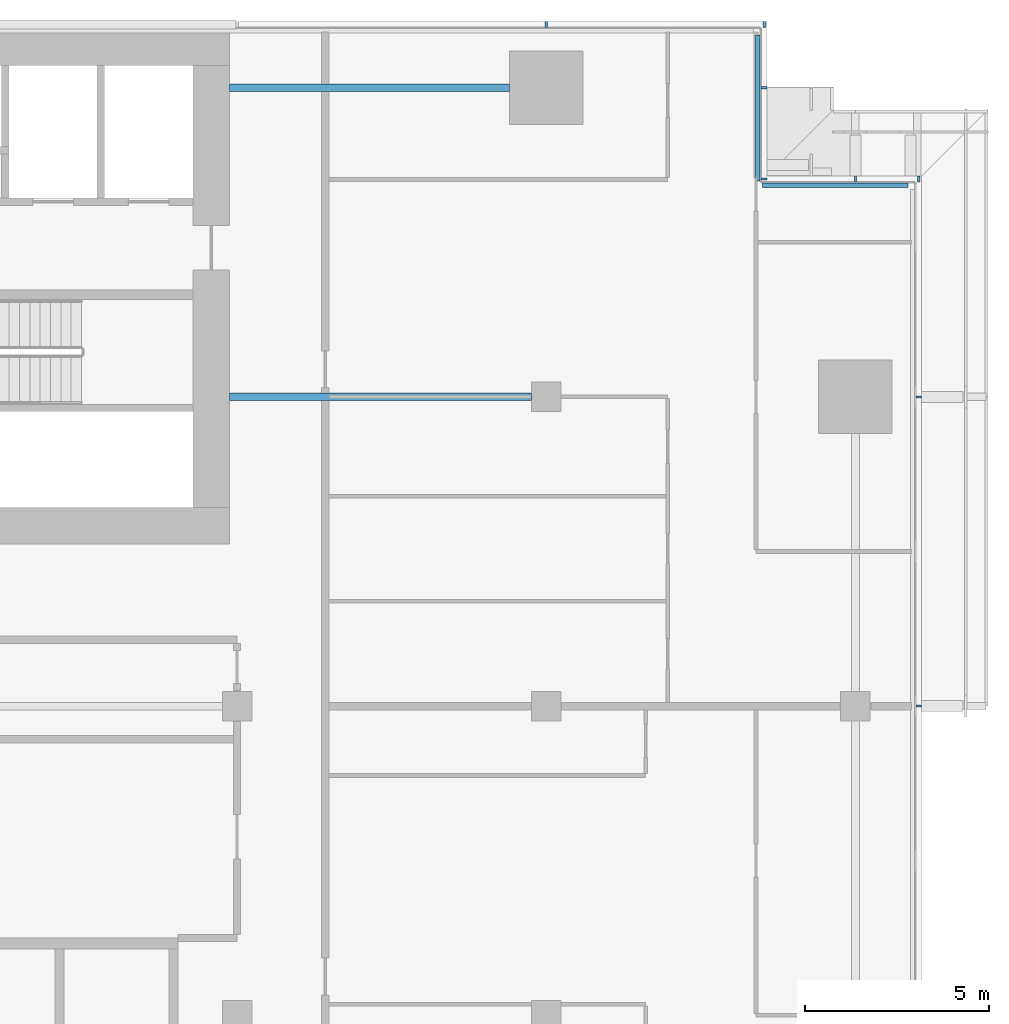
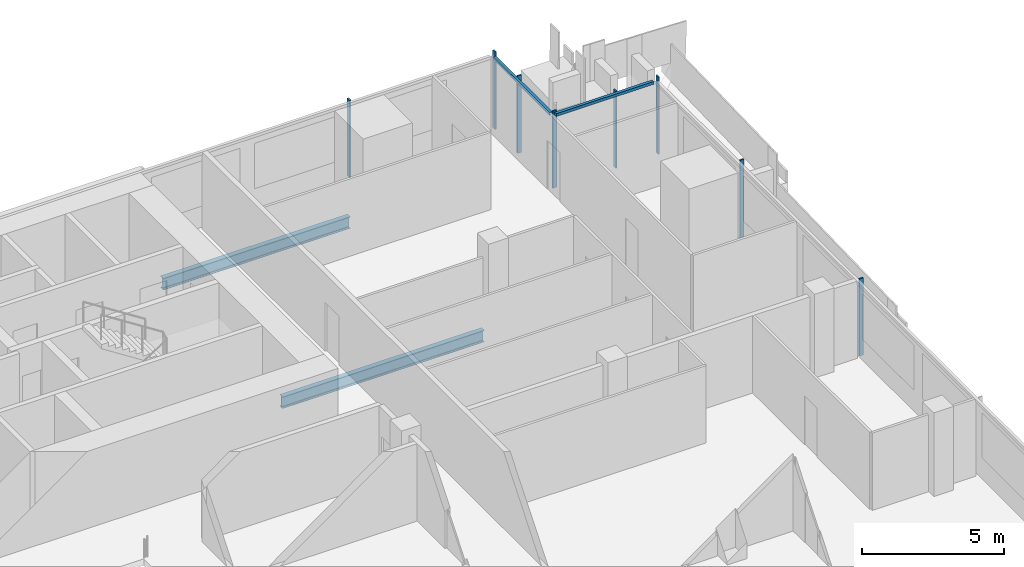
# One storey, part 13 of 27: 10 members, 2 beams, 4 elements without a shape of their own.
"""IFC4 building model written with IfcOpenShell, lengths in metres."""

from ifc_helpers import new_model, si_unit, direction, frame, origin, origin_2d, place, context, subcontext, project, spatial, rectangle, i_section, extrude, material, material_profile, profile_set, type_object, element, aggregate, save


model = new_model("IFC4")

# Units and contexts
model_context = context("Model", 3, precision=1e-05, world=origin(), true_north=direction((0.0, 1.0)))
body_context = subcontext(model_context, "Body", "Model", "MODEL_VIEW")
ifc_project = project(units=[si_unit("LENGTHUNIT", "METRE"), si_unit("AREAUNIT", "SQUARE_METRE"), si_unit("VOLUMEUNIT", "CUBIC_METRE"), si_unit("PLANEANGLEUNIT", "RADIAN"), si_unit("MASSUNIT", "GRAM", prefix="KILO")], contexts=[model_context])

# Site, building, storey
site_placement = place(None, origin())
site = spatial("IfcSite", under=ifc_project, at=site_placement, CompositionType="ELEMENT")
building_placement = place(site_placement, origin())
building = spatial("IfcBuilding", under=site, at=building_placement, Name="Saffron Gate Tower", CompositionType="ELEMENT")
storey_placement = place(building_placement, frame((0.0, 0.0, 134.85009765625)))
storey = spatial("IfcBuildingStorey", under=building, at=storey_placement, Name="L32", CompositionType="ELEMENT", Elevation=134.85009765625)

# Beams
ifc_material_1 = material(Name="Structural steel S355", Category="steel")
ifc_material_profile_1 = material_profile(ifc_material_1, i_section(OverallWidth=0.199951171875, OverallDepth=0.5, WebThickness=0.01025390625, FlangeThickness=0.01611328125, FilletRadius=0.02099609375, at=origin_2d()))
ifc_profile_set_1 = profile_set([ifc_material_profile_1], Name="Structural steel S355")
beam_type = type_object("IfcBeamType", Name="B10 IPE 500", PredefinedType="BEAM", material=ifc_profile_set_1)
beam_1_placement = place(storey_placement, frame((116.60009765625, 65.39990234375, -0.530029296875), z_axis=(-1.0, 0.0, 0.0), x_axis=(0.0, -1.0, 0.0)))
element("IfcBeam", 1, at=beam_1_placement, inside=storey, type_object=beam_type, Name="B10 CORE TIE BEAM", PredefinedType="BEAM", context=body_context, shape_type="SweptSolid", body=[
    extrude(i_section(OverallWidth=0.199951171875, OverallDepth=0.5, WebThickness=0.01025390625, FlangeThickness=0.01611328125, FilletRadius=0.02099609375, at=origin_2d()), origin(), (0.0, 0.0, 1.0), 8.2001953125),
])
beam_2_placement = place(storey_placement, frame((116.0, 73.800048828125, -0.530029296875), z_axis=(-1.0, 0.0, 0.0), x_axis=(0.0, -1.0, 0.0)))
element("IfcBeam", 2, at=beam_2_placement, inside=storey, type_object=beam_type, Name="B10 CORE TIE BEAM", PredefinedType="BEAM", context=body_context, shape_type="SweptSolid", body=[
    extrude(i_section(OverallWidth=0.199951171875, OverallDepth=0.5, WebThickness=0.01025390625, FlangeThickness=0.01611328125, FilletRadius=0.02099609375, at=origin_2d()), origin(), (0.0, 0.0, 1.0), 7.60009765625),
])

# Curtain wall, members
ifc_material_2 = material(Name="Aluminium, bronze anodised", Category="aluminium")
curtain_wall_type_1 = type_object("IfcCurtainWallType", Name="CWS2 curtain wall side facades", PredefinedType="NOTDEFINED", material=ifc_material_2)
curtain_wall_1_placement = place(storey_placement, origin())
curtain_wall_1 = element("IfcCurtainWall", 3, at=curtain_wall_1_placement, inside=storey, type_object=curtain_wall_type_1, Name="CWS2 run 4", PredefinedType="NOTDEFINED")
ifc_material_profile_2 = material_profile(ifc_material_2, rectangle(XDim=0.159912109375, YDim=0.06005859375, at=origin_2d()))
ifc_profile_set_2 = profile_set([ifc_material_profile_2], Name="Aluminium, bronze anodised")
member_type_1 = type_object("IfcMemberType", Name="CWS2 mullion 60x160", PredefinedType="MULLION", material=ifc_profile_set_2)
member_1_placement = place(storey_placement, frame((127.1201171875, 57.0, 0.0), z_axis=(0.0, 0.0, 1.0), x_axis=(-1.0, 0.0, 0.0)))
member_1 = element("IfcMember", 4, at=member_1_placement, type_object=member_type_1, Name="CWS2 mullion 4", PredefinedType="MULLION", context=body_context, shape_type="SweptSolid", body=[
    extrude(rectangle(XDim=0.159912109375, YDim=0.06005859375, at=origin_2d()), origin(), (0.0, 0.0, 1.0), 3.31982421875),
])
member_2_placement = place(storey_placement, frame((127.1201171875, 65.39990234375, 0.0), z_axis=(0.0, 0.0, 1.0), x_axis=(-1.0, 0.0, 0.0)))
member_2 = element("IfcMember", 5, at=member_2_placement, type_object=member_type_1, Name="CWS2 mullion 5", PredefinedType="MULLION", context=body_context, shape_type="SweptSolid", body=[
    extrude(rectangle(XDim=0.159912109375, YDim=0.06005859375, at=origin_2d()), origin(), (0.0, 0.0, 1.0), 3.31982421875),
])
aggregate(curtain_wall_1, [member_1, member_2])

curtain_wall_type_2 = type_object("IfcCurtainWallType", Name="CWS3 curtain wall rear facade", PredefinedType="NOTDEFINED", material=ifc_material_2)
curtain_wall_2_placement = place(storey_placement, origin())
curtain_wall_2 = element("IfcCurtainWall", 6, at=curtain_wall_2_placement, inside=storey, type_object=curtain_wall_type_2, Name="CWS3 run 7", PredefinedType="NOTDEFINED")
ifc_material_profile_3 = material_profile(ifc_material_2, rectangle(XDim=0.159912109375, YDim=0.070068359375, at=origin_2d()))
ifc_profile_set_3 = profile_set([ifc_material_profile_3], Name="Aluminium, bronze anodised")
member_type_2 = type_object("IfcMemberType", Name="CWS3 mullion 70x160", PredefinedType="MULLION", material=ifc_profile_set_3)
member_3_placement = place(storey_placement, frame((122.919921875, 75.52001953125, 0.0), z_axis=(0.0, 0.0, 1.0), x_axis=(0.0, -1.0, 0.0)))
member_3 = element("IfcMember", 7, at=member_3_placement, type_object=member_type_2, Name="CWS3 mullion 1", PredefinedType="MULLION", context=body_context, shape_type="SweptSolid", body=[
    extrude(rectangle(XDim=0.159912109375, YDim=0.070068359375, at=origin_2d()), origin(), (0.0, 0.0, 1.0), 3.31982421875),
])
member_4_placement = place(storey_placement, frame((117.0, 75.52001953125, 0.0), z_axis=(0.0, 0.0, 1.0), x_axis=(0.0, -1.0, 0.0)))
member_4 = element("IfcMember", 8, at=member_4_placement, type_object=member_type_2, Name="CWS3 mullion 2", PredefinedType="MULLION", context=body_context, shape_type="SweptSolid", body=[
    extrude(rectangle(XDim=0.159912109375, YDim=0.070068359375, at=origin_2d()), origin(), (0.0, 0.0, 1.0), 3.31982421875),
])
aggregate(curtain_wall_2, [member_3, member_4])

# Curtain wall, member
curtain_wall_type_3 = type_object("IfcCurtainWallType", Name="CWS4 curtain wall corner returns", PredefinedType="NOTDEFINED", material=ifc_material_2)
curtain_wall_3_placement = place(storey_placement, origin())
curtain_wall_3 = element("IfcCurtainWall", 9, at=curtain_wall_3_placement, inside=storey, type_object=curtain_wall_type_3, Name="CWS4 run 5", PredefinedType="NOTDEFINED")
ifc_material_profile_4 = material_profile(ifc_material_2, rectangle(XDim=0.1201171875, YDim=0.1201171875, at=origin_2d()))
ifc_profile_set_4 = profile_set([ifc_material_profile_4], Name="Aluminium, bronze anodised")
member_type_3 = type_object("IfcMemberType", Name="CWS4 head transom", PredefinedType="USERDEFINED", material=ifc_profile_set_4)
member_5_placement = place(storey_placement, frame((126.83203125, 71.152099609375, 3.260009765625), z_axis=(-1.0, 0.0, 0.0), x_axis=(0.0, -1.0, 0.0)))
member_5 = element("IfcMember", 10, at=member_5_placement, type_object=member_type_3, Name="CWS4 head transom", ObjectType="TRANSOM", PredefinedType="USERDEFINED", context=body_context, shape_type="SweptSolid", body=[
    extrude(rectangle(XDim=0.1201171875, YDim=0.1201171875, at=origin_2d()), origin(), (0.0, 0.0, 1.0), 3.9599609375),
])

curtain_wall_4_placement = place(storey_placement, origin())
curtain_wall_4 = element("IfcCurtainWall", 11, at=curtain_wall_4_placement, inside=storey, type_object=curtain_wall_type_3, Name="CWS4 run 6", PredefinedType="NOTDEFINED")
member_6_placement = place(storey_placement, frame((122.751953125, 71.27197265625, 3.260009765625), z_axis=(0.0, 1.0, 0.0), x_axis=(-1.0, 0.0, 0.0)))
member_6 = element("IfcMember", 12, at=member_6_placement, type_object=member_type_3, Name="CWS4 head transom", ObjectType="TRANSOM", PredefinedType="USERDEFINED", context=body_context, shape_type="SweptSolid", body=[
    extrude(rectangle(XDim=0.1201171875, YDim=0.1201171875, at=origin_2d()), origin(), (0.0, 0.0, 1.0), 3.9599609375),
])

# Member
ifc_material_profile_5 = material_profile(ifc_material_2, rectangle(XDim=0.159912109375, YDim=0.06005859375, at=origin_2d()))
ifc_profile_set_5 = profile_set([ifc_material_profile_5], Name="Aluminium, bronze anodised")
member_type_4 = type_object("IfcMemberType", Name="CWS4 mullion 60x160", PredefinedType="MULLION", material=ifc_profile_set_5)
member_7_placement = place(storey_placement, frame((127.1201171875, 71.320068359375, 0.0), z_axis=(0.0, 0.0, 1.0), x_axis=(0.0, -1.0, 0.0)))
member_7 = element("IfcMember", 13, at=member_7_placement, type_object=member_type_4, Name="CWS4 mullion 1", PredefinedType="MULLION", context=body_context, shape_type="SweptSolid", body=[
    extrude(rectangle(XDim=0.159912109375, YDim=0.06005859375, at=origin_2d()), origin(), (0.0, 0.0, 1.0), 3.31982421875),
])

member_8_placement = place(storey_placement, frame((125.39990234375, 71.320068359375, 0.0), z_axis=(0.0, 0.0, 1.0), x_axis=(0.0, -1.0, 0.0)))
member_8 = element("IfcMember", 14, at=member_8_placement, type_object=member_type_4, Name="CWS4 mullion 2", PredefinedType="MULLION", context=body_context, shape_type="SweptSolid", body=[
    extrude(rectangle(XDim=0.159912109375, YDim=0.06005859375, at=origin_2d()), origin(), (0.0, 0.0, 1.0), 3.31982421875),
])

aggregate(curtain_wall_3, [member_7, member_8, member_5])

member_9_placement = place(storey_placement, frame((122.919921875, 71.320068359375, 0.0), z_axis=(0.0, 0.0, 1.0), x_axis=(-1.0, 0.0, 0.0)))
member_9 = element("IfcMember", 15, at=member_9_placement, type_object=member_type_4, Name="CWS4 mullion 1", PredefinedType="MULLION", context=body_context, shape_type="SweptSolid", body=[
    extrude(rectangle(XDim=0.159912109375, YDim=0.06005859375, at=origin_2d()), origin(), (0.0, 0.0, 1.0), 3.31982421875),
])

member_10_placement = place(storey_placement, frame((122.919921875, 73.800048828125, 0.0), z_axis=(0.0, 0.0, 1.0), x_axis=(-1.0, 0.0, 0.0)))
member_10 = element("IfcMember", 16, at=member_10_placement, type_object=member_type_4, Name="CWS4 mullion 2", PredefinedType="MULLION", context=body_context, shape_type="SweptSolid", body=[
    extrude(rectangle(XDim=0.159912109375, YDim=0.06005859375, at=origin_2d()), origin(), (0.0, 0.0, 1.0), 3.31982421875),
])

aggregate(curtain_wall_4, [member_9, member_10, member_6])

save(model, "model.ifc")
